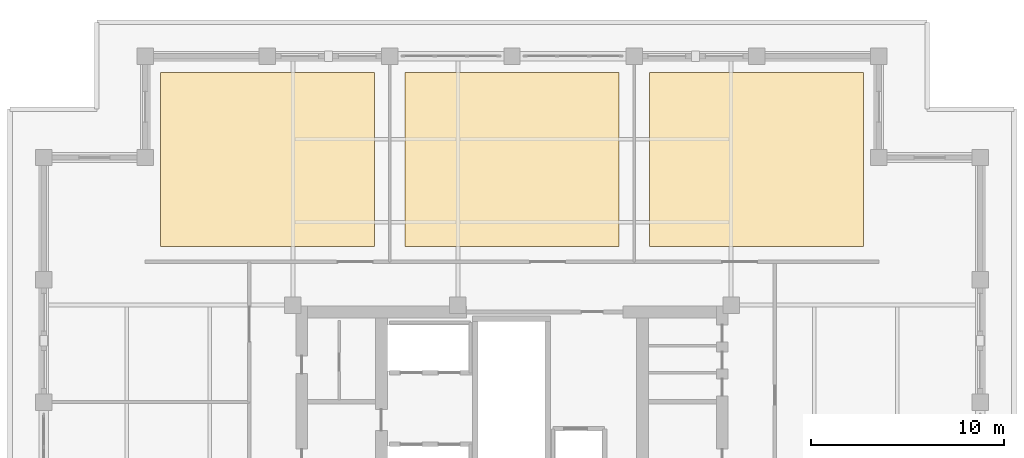
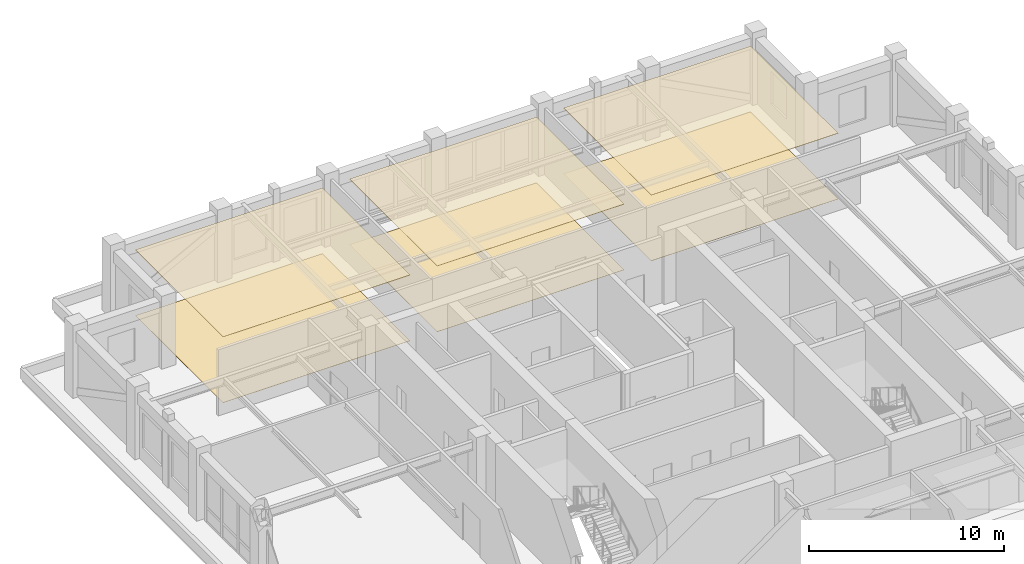
# One storey, part 14 of 14: 6 coverings.
"""IFC4 building model written with IfcOpenShell, lengths in metres."""

from ifc_helpers import new_model, si_unit, direction, frame, origin, place, context, subcontext, project, spatial, polyline, outline, extrude, material, layer, layer_set, type_object, element, save


model = new_model("IFC4")

# Units and contexts
model_context = context("Model", 3, precision=1e-05, world=origin(), true_north=direction((0.0, 1.0)))
body_context = subcontext(model_context, "Body", "Model", "MODEL_VIEW")
ifc_project = project(units=[si_unit("LENGTHUNIT", "METRE"), si_unit("AREAUNIT", "SQUARE_METRE"), si_unit("VOLUMEUNIT", "CUBIC_METRE"), si_unit("PLANEANGLEUNIT", "RADIAN"), si_unit("MASSUNIT", "GRAM", prefix="KILO")], contexts=[model_context])

# Site, building, storey
site_placement = place(None, origin())
site = spatial("IfcSite", under=ifc_project, at=site_placement, CompositionType="ELEMENT")
building_placement = place(site_placement, origin())
building = spatial("IfcBuilding", under=site, at=building_placement, Name="Nhamokura Convention Tower", CompositionType="ELEMENT")
storey_placement = place(building_placement, frame((0.0, 0.0, 182.35009765625)))
storey = spatial("IfcBuildingStorey", under=building, at=storey_placement, Name="L44", CompositionType="ELEMENT", Elevation=182.35009765625)

# Coverings
ifc_material_1 = material(Name="Mineral-fibre acoustic ceiling tile", Category="gypsum")
ifc_layer_1 = layer(ifc_material_1, 0.02490234375)
ifc_layer_set_1 = layer_set([ifc_layer_1], Name="AcousticTileCeiling_25")
covering_type_1 = type_object("IfcCoveringType", Name="AcousticTileCeiling_25", PredefinedType="CEILING", material=ifc_layer_set_1)
covering_1_placement = place(storey_placement, frame((0.0, 0.0, 4.10498046875)))
element("IfcCovering", 1, at=covering_1_placement, inside=storey, type_object=covering_type_1, Name="L44 Suspended Ceiling 04", PredefinedType="CEILING", context=body_context, shape_type="SweptSolid", body=[
    extrude(outline(polyline([(13.800048828125, 46.39990234375), (24.86669921875, 46.39990234375), (24.86669921875, 55.389892578125), (13.800048828125, 55.389892578125), (13.800048828125, 46.39990234375)])), origin(), (0.0, 0.0, 1.0), 0.02490234375),
])
covering_2_placement = place(storey_placement, frame((0.0, 0.0, 4.10498046875)))
element("IfcCovering", 2, at=covering_2_placement, inside=storey, type_object=covering_type_1, Name="L44 Suspended Ceiling 05", PredefinedType="CEILING", context=body_context, shape_type="SweptSolid", body=[
    extrude(outline(polyline([(26.466796875, 46.39990234375), (37.533203125, 46.39990234375), (37.533203125, 55.389892578125), (26.466796875, 55.389892578125), (26.466796875, 46.39990234375)])), origin(), (0.0, 0.0, 1.0), 0.02490234375),
])
covering_3_placement = place(storey_placement, frame((0.0, 0.0, 4.10498046875)))
element("IfcCovering", 3, at=covering_3_placement, inside=storey, type_object=covering_type_1, Name="L44 Suspended Ceiling 06", PredefinedType="CEILING", context=body_context, shape_type="SweptSolid", body=[
    extrude(outline(polyline([(39.13330078125, 46.39990234375), (50.199951171875, 46.39990234375), (50.199951171875, 55.389892578125), (39.13330078125, 55.389892578125), (39.13330078125, 46.39990234375)])), origin(), (0.0, 0.0, 1.0), 0.02490234375),
])
ifc_material_2 = material(Name="Acoustic woven hospitality carpet", Category="wood")
ifc_layer_2 = layer(ifc_material_2, 0.014892578125)
ifc_layer_set_2 = layer_set([ifc_layer_2], Name="WovenCarpetFlooring_15")
covering_type_2 = type_object("IfcCoveringType", Name="WovenCarpetFlooring_15", PredefinedType="FLOORING", material=ifc_layer_set_2)
covering_4_placement = place(storey_placement, origin())
element("IfcCovering", 4, at=covering_4_placement, inside=storey, type_object=covering_type_2, Name="L44 Finish Flooring 04", PredefinedType="FLOORING", context=body_context, shape_type="SweptSolid", body=[
    extrude(outline(polyline([(13.800048828125, 46.39990234375), (24.86669921875, 46.39990234375), (24.86669921875, 55.389892578125), (13.800048828125, 55.389892578125), (13.800048828125, 46.39990234375)])), origin(), (0.0, 0.0, 1.0), 0.014892578125),
])
covering_5_placement = place(storey_placement, origin())
element("IfcCovering", 5, at=covering_5_placement, inside=storey, type_object=covering_type_2, Name="L44 Finish Flooring 05", PredefinedType="FLOORING", context=body_context, shape_type="SweptSolid", body=[
    extrude(outline(polyline([(26.466796875, 46.39990234375), (37.533203125, 46.39990234375), (37.533203125, 55.389892578125), (26.466796875, 55.389892578125), (26.466796875, 46.39990234375)])), origin(), (0.0, 0.0, 1.0), 0.014892578125),
])
covering_6_placement = place(storey_placement, origin())
element("IfcCovering", 6, at=covering_6_placement, inside=storey, type_object=covering_type_2, Name="L44 Finish Flooring 06", PredefinedType="FLOORING", context=body_context, shape_type="SweptSolid", body=[
    extrude(outline(polyline([(39.13330078125, 46.39990234375), (50.199951171875, 46.39990234375), (50.199951171875, 55.389892578125), (39.13330078125, 55.389892578125), (39.13330078125, 46.39990234375)])), origin(), (0.0, 0.0, 1.0), 0.014892578125),
])

save(model, "model.ifc")
